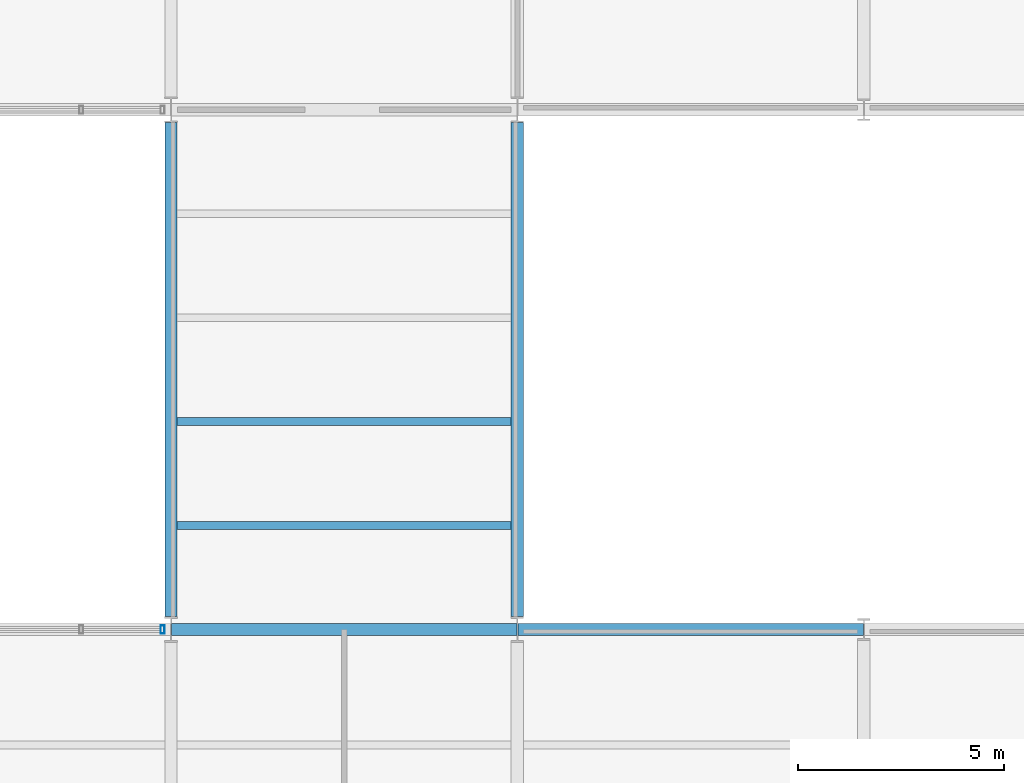
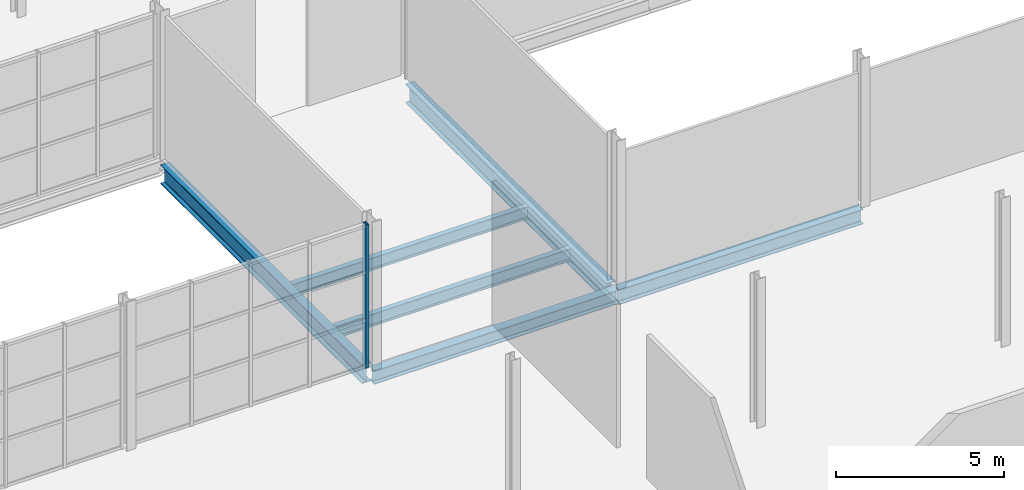
# One storey, part 12 of 57: 6 beams, 1 member, 1 element without a shape of its own.
"""IFC4 building model written with IfcOpenShell, lengths in metres."""

from ifc_helpers import new_model, si_unit, direction, frame, origin, origin_2d, place, context, subcontext, project, spatial, hollow_rectangle, i_section, extrude, material, layer, layer_set, material_profile, profile_set, type_object, element, aggregate, save


model = new_model("IFC4")

# Units and contexts
model_context = context("Model", 3, precision=1e-05, world=origin(), true_north=direction((0.0, 1.0)))
body_context = subcontext(model_context, "Body", "Model", "MODEL_VIEW")
ifc_project = project(units=[si_unit("LENGTHUNIT", "METRE"), si_unit("AREAUNIT", "SQUARE_METRE"), si_unit("VOLUMEUNIT", "CUBIC_METRE"), si_unit("PLANEANGLEUNIT", "RADIAN"), si_unit("MASSUNIT", "GRAM", prefix="KILO")], contexts=[model_context])

# Site, building, storey
site_placement = place(None, origin())
site = spatial("IfcSite", under=ifc_project, at=site_placement, CompositionType="ELEMENT")
building_placement = place(site_placement, origin())
building = spatial("IfcBuilding", under=site, at=building_placement, Name="Galleria Vessillo Department Store", CompositionType="ELEMENT")
storey_placement = place(building_placement, frame((0.0, 0.0, 25.800048828125)))
storey = spatial("IfcBuildingStorey", under=building, at=storey_placement, Name="L05", CompositionType="ELEMENT", Elevation=25.800048828125)

# Beams
ifc_material_1 = material(Name="Steel S355 J2", Category="steel")
ifc_material_profile_1 = material_profile(ifc_material_1, i_section(OverallWidth=0.300048828125, OverallDepth=0.489990234375, WebThickness=0.011962890625, FlangeThickness=0.02294921875, FilletRadius=0.027099609375, at=origin_2d()), Name="HEA 500")
ifc_profile_set_1 = profile_set([ifc_material_profile_1], Name="Steel S355 J2")
beam_type_1 = type_object("IfcBeamType", Name="Bridge girder HEA 500", PredefinedType="BEAM", material=ifc_profile_set_1)
beam_1_placement = place(storey_placement, frame((33.610595703125, 25.199951171875, -0.39501953125), z_axis=(1.0, 0.0, 0.0), x_axis=(0.0, 1.0, 0.0)))
element("IfcBeam", 1, at=beam_1_placement, inside=storey, type_object=beam_type_1, Name="S-BM-L05-BR-x25200-33611", PredefinedType="BEAM", context=body_context, shape_type="SweptSolid", body=[
    extrude(i_section(OverallWidth=0.300048828125, OverallDepth=0.489990234375, WebThickness=0.011962890625, FlangeThickness=0.02294921875, FilletRadius=0.027099609375, at=origin_2d()), origin(), (0.0, 0.0, 1.0), 8.378662109375),
])
ifc_material_2 = material(Name="Steel S355 J2", Category="steel")
ifc_material_profile_2 = material_profile(ifc_material_2, i_section(OverallWidth=0.300048828125, OverallDepth=0.68994140625, WebThickness=0.014404296875, FlangeThickness=0.027099609375, FilletRadius=0.027099609375, at=origin_2d()), Name="HEA 700")
ifc_profile_set_2 = profile_set([ifc_material_profile_2], Name="Steel S355 J2")
beam_type_2 = type_object("IfcBeamType", Name="Bridge girder HEA 700", PredefinedType="BEAM", material=ifc_profile_set_2)
for number, where, z_axis, x_axis, name in (
    (2, (33.60009765625, 25.51025390625, -0.494873046875), (0.0, 1.0, 0.0), (-1.0, 0.0, 0.0), "S-BM-L05-BR-y33600-25510"),
    (3, (42.0, 25.51025390625, -0.494873046875), (0.0, 1.0, 0.0), (-1.0, 0.0, 0.0), "S-BM-L05-BR-y42000-25510"),
):
    element("IfcBeam", number, at=place(storey_placement, frame(where, z_axis=z_axis, x_axis=x_axis)), inside=storey, type_object=beam_type_2, Name=name, PredefinedType="BEAM", context=body_context, shape_type="SweptSolid", body=[
        extrude(i_section(OverallWidth=0.300048828125, OverallDepth=0.68994140625, WebThickness=0.014404296875, FlangeThickness=0.027099609375, FilletRadius=0.027099609375, at=origin_2d()), origin(), (0.0, 0.0, 1.0), 11.9794921875),
    ])
ifc_material_3 = material(Name="Steel S355 J2", Category="steel")
ifc_material_profile_3 = material_profile(ifc_material_3, i_section(OverallWidth=0.18994140625, OverallDepth=0.449951171875, WebThickness=0.009521484375, FlangeThickness=0.0146484375, FilletRadius=0.02099609375, at=origin_2d()), Name="IPE 450")
ifc_profile_set_3 = profile_set([ifc_material_profile_3], Name="Steel S355 J2")
beam_type_3 = type_object("IfcBeamType", Name="Floor joist IPE 450", PredefinedType="JOIST", material=ifc_profile_set_3)
for number, where, z_axis, x_axis, name in (
    (4, (33.750244140625, 27.719970703125, -0.375), (1.0, 0.0, 0.0), (0.0, 1.0, 0.0), "S-BM-L05-JO-x27720-33750"),
    (5, (33.750244140625, 30.239990234375, -0.375), (1.0, 0.0, 0.0), (0.0, 1.0, 0.0), "S-BM-L05-JO-x30240-33750"),
):
    element("IfcBeam", number, at=place(storey_placement, frame(where, z_axis=z_axis, x_axis=x_axis)), inside=storey, type_object=beam_type_3, Name=name, PredefinedType="JOIST", context=body_context, shape_type="SweptSolid", body=[
        extrude(i_section(OverallWidth=0.18994140625, OverallDepth=0.449951171875, WebThickness=0.009521484375, FlangeThickness=0.0146484375, FilletRadius=0.02099609375, at=origin_2d()), origin(), (0.0, 0.0, 1.0), 8.099609375),
    ])

# Curtain wall, member
ifc_material_4 = material(Name="Steel and fire-resisting glass curtain wall", Category="steel")
ifc_layer = layer(ifc_material_4, 0.199951171875)
ifc_layer_set = layer_set([ifc_layer], Name="Steel and fire-resisting glass curtain wall")
curtain_wall_type = type_object("IfcCurtainWallType", Name="Arcade fire-resisting glazed shopfront EI 120-Sa", PredefinedType="NOTDEFINED", material=ifc_layer_set)
curtain_wall_placement = place(storey_placement, origin())
curtain_wall = element("IfcCurtainWall", 6, at=curtain_wall_placement, inside=storey, type_object=curtain_wall_type, Name="Arcade fire-resisting glazed shopfront EI 120-Sa AI-AW-S-L05-02", PredefinedType="NOTDEFINED")
ifc_material_5 = material(Name="Steel S355 J2", Category="steel")
ifc_material_profile_4 = material_profile(ifc_material_5, hollow_rectangle(XDim=0.199951171875, YDim=0.10009765625, WallThickness=0.008056640625, at=origin_2d()), Name="RHS 200x100x8")
ifc_profile_set_4 = profile_set([ifc_material_profile_4], Name="Steel S355 J2")
member_type = type_object("IfcMemberType", Name="Steel mullion RHS 200x100x8", PredefinedType="MULLION", material=ifc_profile_set_4)
member_placement = place(storey_placement, frame((33.3974609375, 25.199951171875, 0.0), z_axis=(0.0, 0.0, 1.0), x_axis=(0.0, 1.0, 0.0)))
member = element("IfcMember", 7, at=member_placement, type_object=member_type, Name="CW7 mullion 5", PredefinedType="MULLION", context=body_context, shape_type="SweptSolid", body=[
    extrude(hollow_rectangle(XDim=0.199951171875, YDim=0.10009765625, WallThickness=0.008056640625, at=origin_2d()), origin(), (0.0, 0.0, 1.0), 5.199951171875),
])
aggregate(curtain_wall, [member])

# Beam
ifc_material_6 = material(Name="Steel S355 J2", Category="steel")
ifc_material_profile_5 = material_profile(ifc_material_6, i_section(OverallWidth=0.300048828125, OverallDepth=0.5400390625, WebThickness=0.012451171875, FlangeThickness=0.02392578125, FilletRadius=0.027099609375, at=origin_2d()), Name="HEA 550")
ifc_profile_set_5 = profile_set([ifc_material_profile_5], Name="Steel S355 J2")
beam_type_4 = type_object("IfcBeamType", Name="Trimmer beam HEA 550", PredefinedType="BEAM", material=ifc_profile_set_5)
beam_2_placement = place(storey_placement, frame((42.0107421875, 25.199951171875, -0.419921875), z_axis=(1.0, 0.0, 0.0), x_axis=(0.0, 1.0, 0.0)))
element("IfcBeam", 8, at=beam_2_placement, inside=storey, type_object=beam_type_4, Name="S-BM-L05-TR-x25200-42011", PredefinedType="BEAM", context=body_context, shape_type="SweptSolid", body=[
    extrude(i_section(OverallWidth=0.300048828125, OverallDepth=0.5400390625, WebThickness=0.012451171875, FlangeThickness=0.02392578125, FilletRadius=0.027099609375, at=origin_2d()), origin(), (0.0, 0.0, 1.0), 8.378662109375),
])

save(model, "model.ifc")
